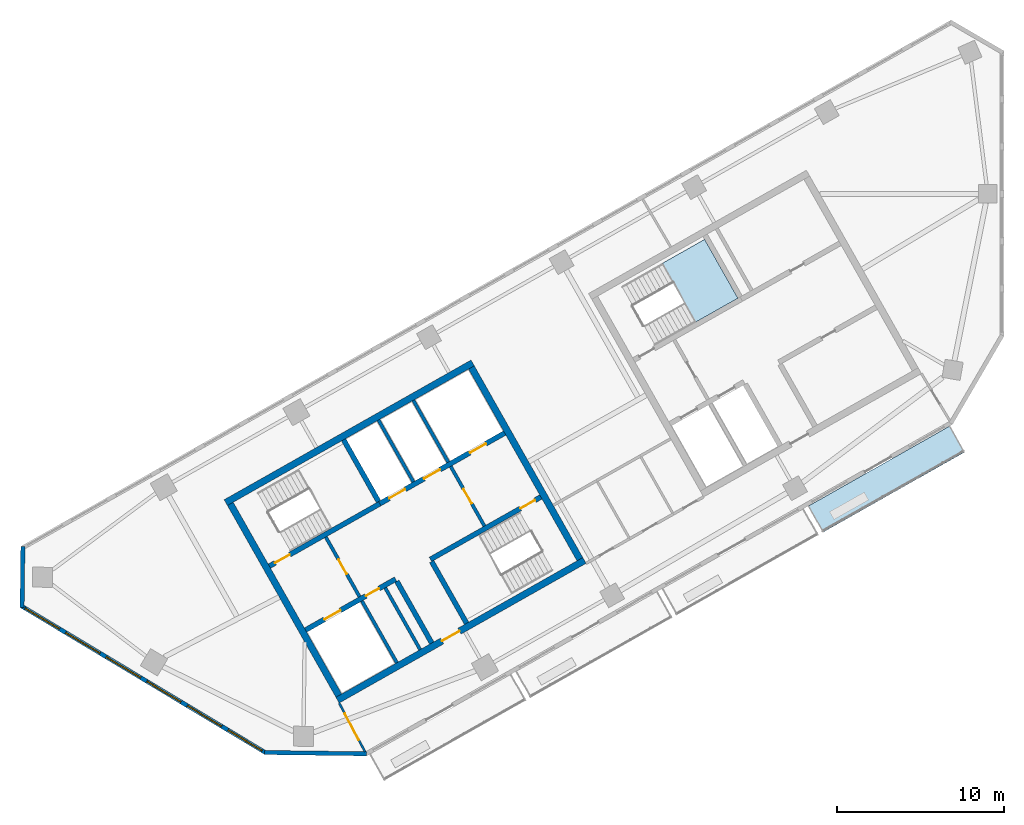
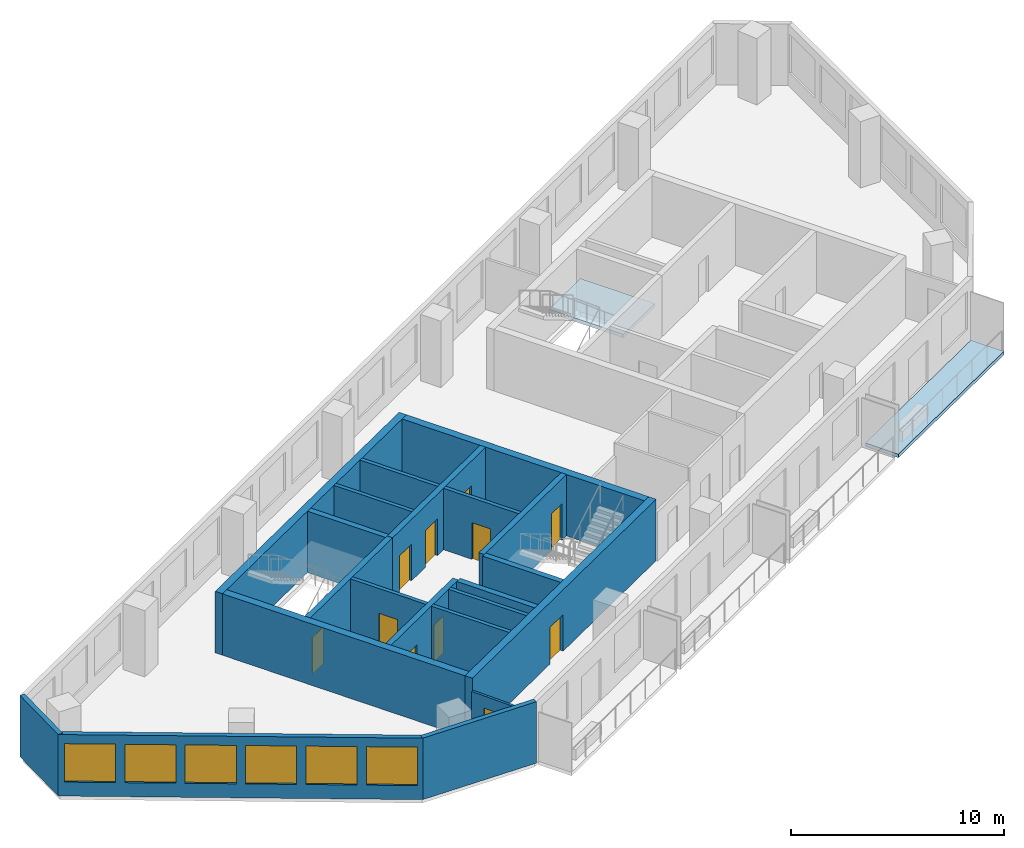
# One storey, part 2 of 7: 21 walls, 11 doors, 6 windows, 2 slabs, 17 openings, 1 element without a shape of its own.
"""IFC4 building model written with IfcOpenShell, lengths in metres."""

from ifc_helpers import new_model, si_unit, direction, frame, frame_2d, origin, place, context, subcontext, project, spatial, polyline, rectangle, outline, extrude, material, layer, layer_set, type_object, element, fill, aggregate, save


model = new_model("IFC4")

# Units and contexts
model_context = context("Model", 3, precision=1e-05, world=origin(), true_north=direction((0.0, 1.0)))
body_context = subcontext(model_context, "Body", "Model", "MODEL_VIEW")
ifc_project = project(units=[si_unit("LENGTHUNIT", "METRE"), si_unit("AREAUNIT", "SQUARE_METRE"), si_unit("VOLUMEUNIT", "CUBIC_METRE"), si_unit("PLANEANGLEUNIT", "RADIAN"), si_unit("MASSUNIT", "GRAM", prefix="KILO")], contexts=[model_context])

# Site, building, storey
site_placement = place(None, origin())
site = spatial("IfcSite", under=ifc_project, at=site_placement, CompositionType="ELEMENT")
building_placement = place(site_placement, origin())
building = spatial("IfcBuilding", under=site, at=building_placement, Name="Binnacle Exchange Tower", CompositionType="ELEMENT")
storey_placement = place(building_placement, frame((0.0, 0.0, 304.5)))
storey = spatial("IfcBuildingStorey", under=building, at=storey_placement, Name="L68", CompositionType="ELEMENT", Elevation=304.5)

# Slab
ifc_material_1 = material(Name="Concrete C35/45", Category="concrete")
ifc_layer_1 = layer(ifc_material_1, 0.199951171875)
ifc_layer_set_1 = layer_set([ifc_layer_1], Name="BALCONY SLAB 200")
slab_type_1 = type_object("IfcSlabType", Name="BALCONY SLAB 200", PredefinedType="FLOOR", material=ifc_layer_set_1)
slab_1_placement = place(storey_placement, frame((0.0, 0.0, -0.199951171875)))
element("IfcSlab", 1, at=slab_1_placement, inside=storey, type_object=slab_type_1, Name="Balcony BA-H07-03 L68", PredefinedType="FLOOR", context=body_context, shape_type="SweptSolid", body=[
    extrude(outline(polyline([(-11.616943359375, 41.28369140625), (-3.115234375, 46.093994140625), (-2.22900390625, 44.527099609375), (-10.730712890625, 39.717041015625), (-11.616943359375, 41.28369140625)])), origin(), (0.0, 0.0, 1.0), 0.199951171875),
])

# Stair, slab
stair_type = type_object("IfcStairType", Name="STAIR 22 RISERS 173", PredefinedType="HALF_TURN_STAIR", material=ifc_material_1)
stair_placement = place(storey_placement, origin())
stair = element("IfcStair", 2, at=stair_placement, inside=storey, type_object=stair_type, Name="L68 Escape stair C1", PredefinedType="HALF_TURN_STAIR")
ifc_layer_2 = layer(ifc_material_1, 0.199951171875)
ifc_layer_set_2 = layer_set([ifc_layer_2], Name="STAIR LANDING 200")
slab_type_2 = type_object("IfcSlabType", Name="STAIR LANDING 200", PredefinedType="LANDING", material=ifc_layer_set_2)
slab_2_placement = place(storey_placement, frame((0.0, 0.0, 1.699951171875)))
slab_2 = element("IfcSlab", 3, at=slab_2_placement, type_object=slab_type_2, Name="STC1 landing 1", PredefinedType="LANDING", context=body_context, shape_type="SweptSolid", body=[
    extrude(outline(polyline([(-18.364013671875, 52.31005859375), (-15.822509765625, 53.748046875), (-17.81689453125, 57.27294921875), (-20.3583984375, 55.8349609375), (-18.364013671875, 52.31005859375)])), origin(), (0.0, 0.0, 1.0), 0.199951171875),
])
aggregate(stair, [slab_2])

# Wall, openings, doors
ifc_material_2 = material(Name="Concrete C70/85", Category="concrete")
ifc_layer_3 = layer(ifc_material_2, 0.300048828125)
ifc_layer_set_3 = layer_set([ifc_layer_3], Name="Core wall - front 300")
wall_type_1 = type_object("IfcWallType", Name="Core wall - front 300", PredefinedType="SOLIDWALL", material=ifc_layer_set_3)
wall_1_placement = place(storey_placement, frame((-41.72998046875, 33.862548828125, 0.0), z_axis=(0.0, 0.0, 1.0), x_axis=(0.870350800578, 0.492432212525, 0.0)))
wall_1 = element("IfcWall", 4, at=wall_1_placement, inside=storey, type_object=wall_type_1, Name="Core wall CRWA2", PredefinedType="SOLIDWALL", context=body_context, shape_type="SweptSolid", body=[
    extrude(rectangle(XDim=6.19970703125, YDim=0.300048828125, at=frame_2d((3.099853515625, 0.0))), origin(), (0.0, 0.0, 1.0), 3.52001953125),
])
opening_1_placement = place(wall_1_placement, frame((1.300048828125, 0.0, 0.0)))
opening_1 = element("IfcOpeningElement", 5, at=opening_1_placement, cuts=wall_1, Name="Opening LD12", PredefinedType="OPENING", context=body_context, shape_type="SweptSolid", body=[
    extrude(rectangle(XDim=1.10009765625, YDim=2.10009765625, at=frame_2d((0.550048828125, 1.050048828125))), frame((0.0, 0.159912109375, 0.0), z_axis=(0.0, -1.0, 0.0), x_axis=(1.0, 0.0, 0.0)), (0.0, 0.0, 1.0), 0.320068359375),
])
opening_2_placement = place(wall_1_placement, frame((4.14990234375, 0.0, 0.0)))
opening_2 = element("IfcOpeningElement", 6, at=opening_2_placement, cuts=wall_1, Name="Opening DA14", PredefinedType="OPENING", context=body_context, shape_type="SweptSolid", body=[
    extrude(rectangle(XDim=0.89990234375, YDim=2.10009765625, at=frame_2d((0.449951171875, 1.050048828125))), frame((0.0, 0.159912109375, 0.0), z_axis=(0.0, -1.0, 0.0), x_axis=(1.0, 0.0, 0.0)), (0.0, 0.0, 1.0), 0.320068359375),
])
ifc_material_3 = material(Name="Steel door leaf", Category="steel")
door_type_1 = type_object("IfcDoorType", Name="Fire door - lift landing 1100", OperationType="NOTDEFINED", PredefinedType="DOOR", material=ifc_material_3)
door_1_placement = place(opening_1_placement, origin())
door_1 = element("IfcDoor", 7, at=door_1_placement, inside=storey, type_object=door_type_1, Name="Landing door LD12 L68", OperationType="DOUBLE_DOOR_SLIDING", OverallHeight=2.10009765625, OverallWidth=1.10009765625, PredefinedType="DOOR", context=body_context, shape_type="SweptSolid", body=[
    extrude(rectangle(XDim=1.10009765625, YDim=2.10009765625, at=frame_2d((0.550048828125, 1.050048828125))), frame((0.0, 0.02490234375, 0.0), z_axis=(0.0, -1.0, 0.0), x_axis=(1.0, 0.0, 0.0)), (0.0, 0.0, 1.0), 0.050048828125),
])
fill(opening_1, door_1)
door_type_2 = type_object("IfcDoorType", Name="Fire door 900", OperationType="NOTDEFINED", PredefinedType="DOOR", material=ifc_material_3)
door_2_placement = place(opening_2_placement, frame((0.89990234375, 0.0, 0.0), z_axis=(0.0, 0.0, 1.0), x_axis=(-1.0, 0.0, 0.0)))
door_2 = element("IfcDoor", 8, at=door_2_placement, inside=storey, type_object=door_type_2, Name="Core room door FIBRE ENTRY ROOM", OperationType="SINGLE_SWING_LEFT", OverallHeight=2.10009765625, OverallWidth=0.89990234375, PredefinedType="DOOR", context=body_context, shape_type="SweptSolid", body=[
    extrude(rectangle(XDim=0.89990234375, YDim=2.10009765625, at=frame_2d((0.449951171875, 1.050048828125))), frame((0.0, 0.02490234375, 0.0), z_axis=(0.0, -1.0, 0.0), x_axis=(1.0, 0.0, 0.0)), (0.0, 0.0, 1.0), 0.050048828125),
])
fill(opening_2, door_2)

wall_2_placement = place(storey_placement, frame((-37.281982421875, 41.4345703125, 0.0), z_axis=(0.0, 0.0, 1.0), x_axis=(0.870361315115, 0.492413628113, 0.0)))
wall_2 = element("IfcWall", 9, at=wall_2_placement, inside=storey, type_object=wall_type_1, Name="Core wall CRWA5", PredefinedType="SOLIDWALL", context=body_context, shape_type="SweptSolid", body=[
    extrude(rectangle(XDim=8.599609375, YDim=0.300048828125, at=frame_2d((4.2998046875, 0.0))), origin(), (0.0, 0.0, 1.0), 3.52001953125),
])
opening_3_placement = place(wall_2_placement, frame((0.650146484375, 0.0, 0.0)))
opening_3 = element("IfcOpeningElement", 10, at=opening_3_placement, cuts=wall_2, Name="Opening LD9", PredefinedType="OPENING", context=body_context, shape_type="SweptSolid", body=[
    extrude(rectangle(XDim=1.10009765625, YDim=2.10009765625, at=frame_2d((0.550048828125, 1.050048828125))), frame((0.0, 0.159912109375, 0.0), z_axis=(0.0, -1.0, 0.0), x_axis=(1.0, 0.0, 0.0)), (0.0, 0.0, 1.0), 0.320068359375),
])
opening_4_placement = place(wall_2_placement, frame((3.050048828125, 0.0, 0.0)))
opening_4 = element("IfcOpeningElement", 11, at=opening_4_placement, cuts=wall_2, Name="Opening LD10", PredefinedType="OPENING", context=body_context, shape_type="SweptSolid", body=[
    extrude(rectangle(XDim=1.10009765625, YDim=2.10009765625, at=frame_2d((0.550048828125, 1.050048828125))), frame((0.0, 0.159912109375, 0.0), z_axis=(0.0, -1.0, 0.0), x_axis=(1.0, 0.0, 0.0)), (0.0, 0.0, 1.0), 0.320068359375),
])
opening_5_placement = place(wall_2_placement, frame((6.199951171875, 0.0, 0.0)))
opening_5 = element("IfcOpeningElement", 12, at=opening_5_placement, cuts=wall_2, Name="Opening LD13", PredefinedType="OPENING", context=body_context, shape_type="SweptSolid", body=[
    extrude(rectangle(XDim=1.10009765625, YDim=2.10009765625, at=frame_2d((0.550048828125, 1.050048828125))), frame((0.0, 0.159912109375, 0.0), z_axis=(0.0, -1.0, 0.0), x_axis=(1.0, 0.0, 0.0)), (0.0, 0.0, 1.0), 0.320068359375),
])
door_3_placement = place(opening_3_placement, origin())
door_3 = element("IfcDoor", 13, at=door_3_placement, inside=storey, type_object=door_type_1, Name="Landing door LD9 L68", OperationType="DOUBLE_DOOR_SLIDING", OverallHeight=2.10009765625, OverallWidth=1.10009765625, PredefinedType="DOOR", context=body_context, shape_type="SweptSolid", body=[
    extrude(rectangle(XDim=1.10009765625, YDim=2.10009765625, at=frame_2d((0.550048828125, 1.050048828125))), frame((0.0, 0.02490234375, 0.0), z_axis=(0.0, -1.0, 0.0), x_axis=(1.0, 0.0, 0.0)), (0.0, 0.0, 1.0), 0.050048828125),
])
fill(opening_3, door_3)
door_4_placement = place(opening_4_placement, origin())
door_4 = element("IfcDoor", 14, at=door_4_placement, inside=storey, type_object=door_type_1, Name="Landing door LD10 L68", OperationType="DOUBLE_DOOR_SLIDING", OverallHeight=2.10009765625, OverallWidth=1.10009765625, PredefinedType="DOOR", context=body_context, shape_type="SweptSolid", body=[
    extrude(rectangle(XDim=1.10009765625, YDim=2.10009765625, at=frame_2d((0.550048828125, 1.050048828125))), frame((0.0, 0.02490234375, 0.0), z_axis=(0.0, -1.0, 0.0), x_axis=(1.0, 0.0, 0.0)), (0.0, 0.0, 1.0), 0.050048828125),
])
fill(opening_4, door_4)
door_5_placement = place(opening_5_placement, origin())
door_5 = element("IfcDoor", 15, at=door_5_placement, inside=storey, type_object=door_type_1, Name="Landing door LD13 L68", OperationType="DOUBLE_DOOR_SLIDING", OverallHeight=2.10009765625, OverallWidth=1.10009765625, PredefinedType="DOOR", context=body_context, shape_type="SweptSolid", body=[
    extrude(rectangle(XDim=1.10009765625, YDim=2.10009765625, at=frame_2d((0.550048828125, 1.050048828125))), frame((0.0, 0.02490234375, 0.0), z_axis=(0.0, -1.0, 0.0), x_axis=(1.0, 0.0, 0.0)), (0.0, 0.0, 1.0), 0.050048828125),
])
fill(opening_5, door_5)

# Wall
wall_3_placement = place(storey_placement, frame((-36.260009765625, 36.784912109375, 0.0), z_axis=(0.0, 0.0, 1.0), x_axis=(0.492422543467, -0.870356271124, 0.0)))
element("IfcWall", 16, at=wall_3_placement, inside=storey, type_object=wall_type_1, Name="Core wall CRWA13", PredefinedType="SOLIDWALL", context=body_context, shape_type="SweptSolid", body=[
    extrude(rectangle(XDim=4.25, YDim=0.300048828125, at=frame_2d((2.125, 0.0))), origin(), (0.0, 0.0, 1.0), 3.52001953125),
])

# Wall, opening, door
ifc_layer_4 = layer(ifc_material_2, 0.39990234375)
ifc_layer_set_4 = layer_set([ifc_layer_4], Name="Core wall - outer 400")
wall_type_2 = type_object("IfcWallType", Name="Core wall - outer 400", PredefinedType="SOLIDWALL", material=ifc_layer_set_4)
wall_4_placement = place(storey_placement, frame((-39.81298828125, 29.661865234375, 0.0), z_axis=(0.0, 0.0, 1.0), x_axis=(0.870350116061, 0.492433422375, 0.0)))
wall_4 = element("IfcWall", 17, at=wall_4_placement, inside=storey, type_object=wall_type_2, Name="Core wall CRWA1", PredefinedType="SOLIDWALL", context=body_context, shape_type="SweptSolid", body=[
    extrude(rectangle(XDim=17.0, YDim=0.39990234375, at=frame_2d((8.5, 0.0))), origin(), (0.0, 0.0, 1.0), 3.52001953125),
])
opening_6_placement = place(wall_4_placement, frame((7.199951171875, 0.0, 0.0)))
opening_6 = element("IfcOpeningElement", 18, at=opening_6_placement, cuts=wall_4, Name="Opening DA7", PredefinedType="OPENING", context=body_context, shape_type="SweptSolid", body=[
    extrude(rectangle(XDim=1.199951171875, YDim=2.10009765625, at=frame_2d((0.60009765625, 1.050048828125))), frame((0.0, 0.2099609375, 0.0), z_axis=(0.0, -1.0, 0.0), x_axis=(1.0, 0.0, 0.0)), (0.0, 0.0, 1.0), 0.419921875),
])
door_type_3 = type_object("IfcDoorType", Name="Fire door 1200", OperationType="NOTDEFINED", PredefinedType="DOOR", material=ifc_material_3)
door_6_placement = place(opening_6_placement, frame((1.199951171875, 0.0, 0.0), z_axis=(0.0, 0.0, 1.0), x_axis=(-1.0, 0.0, 0.0)))
door_6 = element("IfcDoor", 19, at=door_6_placement, inside=storey, type_object=door_type_3, Name="Lift lobby entrance door core A", OperationType="SINGLE_SWING_RIGHT", OverallHeight=2.10009765625, OverallWidth=1.199951171875, PredefinedType="DOOR", context=body_context, shape_type="SweptSolid", body=[
    extrude(rectangle(XDim=1.199951171875, YDim=2.10009765625, at=frame_2d((0.60009765625, 1.050048828125))), frame((0.0, 0.02490234375, 0.0), z_axis=(0.0, -1.0, 0.0), x_axis=(1.0, 0.0, 0.0)), (0.0, 0.0, 1.0), 0.050048828125),
])
fill(opening_6, door_6)

# Walls
wall_5_placement = place(storey_placement, frame((-46.510009765625, 41.498779296875, 0.0), z_axis=(0.0, 0.0, 1.0), x_axis=(0.870356271124, 0.492422543467, 0.0)))
element("IfcWall", 20, at=wall_5_placement, inside=storey, type_object=wall_type_2, Name="Core wall CRWA6", PredefinedType="SOLIDWALL", context=body_context, shape_type="SweptSolid", body=[
    extrude(rectangle(XDim=16.999755859375, YDim=0.39990234375, at=frame_2d((8.5, 0.0))), origin(), (0.0, 0.0, 1.0), 3.52001953125),
])
for number, where, z_axis, x_axis, name in (
    (21, (-46.237548828125, 41.423095703125, 0.0), (0.0, 0.0, 1.0), (0.492421663121, -0.870356769198, 0.0), "Core wall CRWA7"),
    (22, (-31.78955078125, 49.597412109375, 0.0), (0.0, 0.0, 1.0), (0.492421663121, -0.870356769198, 0.0), "Core wall CRWA22"),
):
    element("IfcWall", number, at=place(storey_placement, frame(where, z_axis=z_axis, x_axis=x_axis)), inside=storey, type_object=wall_type_2, Name=name, PredefinedType="SOLIDWALL", context=body_context, shape_type="SweptSolid", body=[
        extrude(rectangle(XDim=13.199951171875, YDim=0.39990234375, at=frame_2d((6.60009765625, 0.0))), origin(), (0.0, 0.0, 1.0), 3.52001953125),
    ])

# Wall, opening, door
ifc_layer_5 = layer(ifc_material_2, 0.300048828125)
ifc_layer_set_5 = layer_set([ifc_layer_5], Name="Core wall - stair 300")
wall_type_3 = type_object("IfcWallType", Name="Core wall - stair 300", PredefinedType="SOLIDWALL", material=ifc_layer_set_5)
wall_6_placement = place(storey_placement, frame((-34.2451171875, 38.097412109375, 0.0), z_axis=(0.0, 0.0, 1.0), x_axis=(0.870356351998, 0.492422400523, 0.0)))
wall_6 = element("IfcWall", 23, at=wall_6_placement, inside=storey, type_object=wall_type_3, Name="Core wall CRWA3", PredefinedType="SOLIDWALL", context=body_context, shape_type="SweptSolid", body=[
    extrude(rectangle(XDim=7.60009765625, YDim=0.300048828125, at=frame_2d((3.800048828125, 0.0))), origin(), (0.0, 0.0, 1.0), 3.52001953125),
])
opening_7_placement = place(wall_6_placement, frame((6.199951171875, 0.0, 0.0)))
opening_7 = element("IfcOpeningElement", 24, at=opening_7_placement, cuts=wall_6, Name="Opening DA2", PredefinedType="OPENING", context=body_context, shape_type="SweptSolid", body=[
    extrude(rectangle(XDim=1.0, YDim=2.10009765625, at=frame_2d((0.5, 1.050048828125))), frame((0.0, 0.159912109375, 0.0), z_axis=(0.0, -1.0, 0.0), x_axis=(1.0, 0.0, 0.0)), (0.0, 0.0, 1.0), 0.320068359375),
])
door_type_4 = type_object("IfcDoorType", Name="Fire door 1000", OperationType="NOTDEFINED", PredefinedType="DOOR", material=ifc_material_3)
door_7_placement = place(opening_7_placement, frame((1.0, 0.0, 0.0), z_axis=(0.0, 0.0, 1.0), x_axis=(-1.0, 0.0, 0.0)))
door_7 = element("IfcDoor", 25, at=door_7_placement, inside=storey, type_object=door_type_4, Name="Stair door ST-A2", OperationType="SINGLE_SWING_LEFT", OverallHeight=2.10009765625, OverallWidth=1.0, PredefinedType="DOOR", context=body_context, shape_type="SweptSolid", body=[
    extrude(rectangle(XDim=1.0, YDim=2.10009765625, at=frame_2d((0.5, 1.050048828125))), frame((0.0, 0.02490234375, 0.0), z_axis=(0.0, -1.0, 0.0), x_axis=(1.0, 0.0, 0.0)), (0.0, 0.0, 1.0), 0.050048828125),
])
fill(opening_7, door_7)

wall_7_placement = place(storey_placement, frame((-43.896728515625, 37.692138671875, 0.0), z_axis=(0.0, 0.0, 1.0), x_axis=(0.870356351998, 0.492422400523, 0.0)))
wall_7 = element("IfcWall", 26, at=wall_7_placement, inside=storey, type_object=wall_type_3, Name="Core wall CRWA4", PredefinedType="SOLIDWALL", context=body_context, shape_type="SweptSolid", body=[
    extrude(rectangle(XDim=7.60009765625, YDim=0.300048828125, at=frame_2d((3.800048828125, 0.0))), origin(), (0.0, 0.0, 1.0), 3.52001953125),
])
opening_8_placement = place(wall_7_placement, frame((0.39990234375, 0.0, 0.0)))
opening_8 = element("IfcOpeningElement", 27, at=opening_8_placement, cuts=wall_7, Name="Opening DA1", PredefinedType="OPENING", context=body_context, shape_type="SweptSolid", body=[
    extrude(rectangle(XDim=1.0, YDim=2.10009765625, at=frame_2d((0.5, 1.050048828125))), frame((0.0, 0.159912109375, 0.0), z_axis=(0.0, -1.0, 0.0), x_axis=(1.0, 0.0, 0.0)), (0.0, 0.0, 1.0), 0.320068359375),
])
door_8_placement = place(opening_8_placement, origin())
door_8 = element("IfcDoor", 28, at=door_8_placement, inside=storey, type_object=door_type_4, Name="Stair door ST-A1", OperationType="SINGLE_SWING_LEFT", OverallHeight=2.10009765625, OverallWidth=1.0, PredefinedType="DOOR", context=body_context, shape_type="SweptSolid", body=[
    extrude(rectangle(XDim=1.0, YDim=2.10009765625, at=frame_2d((0.5, 1.050048828125))), frame((0.0, 0.02490234375, 0.0), z_axis=(0.0, -1.0, 0.0), x_axis=(1.0, 0.0, 0.0)), (0.0, 0.0, 1.0), 0.050048828125),
])
fill(opening_8, door_8)

# Walls
for number, where, z_axis, x_axis, name in (
    (29, (-39.44873046875, 45.263916015625, 0.0), (0.0, 0.0, 1.0), (0.492422543467, -0.870356271124, 0.0), "Core wall CRWA14"),
    (30, (-34.171142578125, 37.966796875, 0.0), (0.0, 0.0, 1.0), (0.492422543467, -0.870356271124, 0.0), "Core wall CRWA16"),
):
    element("IfcWall", number, at=place(storey_placement, frame(where, z_axis=z_axis, x_axis=x_axis)), inside=storey, type_object=wall_type_3, Name=name, PredefinedType="SOLIDWALL", context=body_context, shape_type="SweptSolid", body=[
        extrude(rectangle(XDim=4.25, YDim=0.300048828125, at=frame_2d((2.125, 0.0))), origin(), (0.0, 0.0, 1.0), 3.52001953125),
    ])
ifc_material_4 = material(Name="Bronze aluminium cladding", Category="aluminium")
ifc_layer_6 = layer(ifc_material_4, 0.25)
ifc_layer_set_6 = layer_set([ifc_layer_6], Name="External wall - window wall 250")
wall_type_4 = type_object("IfcWallType", Name="External wall - window wall 250", PredefinedType="STANDARD", material=ifc_layer_set_6)
wall_8_placement = place(storey_placement, frame((-58.717041015625, 35.208251953125, 0.0), z_axis=(0.0, 0.0, 1.0), x_axis=(0.01310512158, 0.999914124207, 0.0)))
element("IfcWall", 31, at=wall_8_placement, inside=storey, type_object=wall_type_4, Name="External wall EW-H04 L68", PredefinedType="STANDARD", context=body_context, shape_type="SweptSolid", body=[
    extrude(rectangle(XDim=3.669921875, YDim=0.25, at=frame_2d((1.8349609375, 0.0))), origin(), (0.0, 0.0, 1.0), 3.52001953125),
])

# Wall, openings, windows
wall_9_placement = place(storey_placement, frame((-44.115234375, 26.507080078125, 0.0), z_axis=(0.0, 0.0, 1.0), x_axis=(-0.857166583633, 0.515039268311, 0.0)))
wall_9 = element("IfcWall", 32, at=wall_9_placement, inside=storey, type_object=wall_type_4, Name="External wall EW-H05 L68", PredefinedType="STANDARD", context=body_context, shape_type="SweptSolid", body=[
    extrude(rectangle(XDim=17.105712890625, YDim=0.25, at=frame_2d((8.552734375, 0.0))), origin(), (0.0, 0.0, 1.0), 3.52001953125),
])
opening_9_placement = place(wall_9_placement, frame((14.4169921875, 0.0, 0.800048828125)))
opening_9 = element("IfcOpeningElement", 33, at=opening_9_placement, cuts=wall_9, Name="Opening WR2", PredefinedType="OPENING", context=body_context, shape_type="SweptSolid", body=[
    extrude(rectangle(XDim=2.39990234375, YDim=2.199951171875, at=frame_2d((1.199951171875, 1.10009765625))), frame((0.0, 0.135009765625, 0.0), z_axis=(0.0, -1.0, 0.0), x_axis=(1.0, 0.0, 0.0)), (0.0, 0.0, 1.0), 0.27001953125),
])
opening_10_placement = place(wall_9_placement, frame((11.583740234375, 0.0, 0.800048828125)))
opening_10 = element("IfcOpeningElement", 34, at=opening_10_placement, cuts=wall_9, Name="Opening WR2", PredefinedType="OPENING", context=body_context, shape_type="SweptSolid", body=[
    extrude(rectangle(XDim=2.39990234375, YDim=2.199951171875, at=frame_2d((1.199951171875, 1.10009765625))), frame((0.0, 0.135009765625, 0.0), z_axis=(0.0, -1.0, 0.0), x_axis=(1.0, 0.0, 0.0)), (0.0, 0.0, 1.0), 0.27001953125),
])
opening_11_placement = place(wall_9_placement, frame((8.75048828125, 0.0, 0.800048828125)))
opening_11 = element("IfcOpeningElement", 35, at=opening_11_placement, cuts=wall_9, Name="Opening WR2", PredefinedType="OPENING", context=body_context, shape_type="SweptSolid", body=[
    extrude(rectangle(XDim=2.39990234375, YDim=2.199951171875, at=frame_2d((1.199951171875, 1.10009765625))), frame((0.0, 0.135009765625, 0.0), z_axis=(0.0, -1.0, 0.0), x_axis=(1.0, 0.0, 0.0)), (0.0, 0.0, 1.0), 0.27001953125),
])
opening_12_placement = place(wall_9_placement, frame((5.9169921875, 0.0, 0.800048828125)))
opening_12 = element("IfcOpeningElement", 36, at=opening_12_placement, cuts=wall_9, Name="Opening WR2", PredefinedType="OPENING", context=body_context, shape_type="SweptSolid", body=[
    extrude(rectangle(XDim=2.39990234375, YDim=2.199951171875, at=frame_2d((1.199951171875, 1.10009765625))), frame((0.0, 0.135009765625, 0.0), z_axis=(0.0, -1.0, 0.0), x_axis=(1.0, 0.0, 0.0)), (0.0, 0.0, 1.0), 0.27001953125),
])
opening_13_placement = place(wall_9_placement, frame((3.083740234375, 0.0, 0.800048828125)))
opening_13 = element("IfcOpeningElement", 37, at=opening_13_placement, cuts=wall_9, Name="Opening WR2", PredefinedType="OPENING", context=body_context, shape_type="SweptSolid", body=[
    extrude(rectangle(XDim=2.39990234375, YDim=2.199951171875, at=frame_2d((1.199951171875, 1.10009765625))), frame((0.0, 0.135009765625, 0.0), z_axis=(0.0, -1.0, 0.0), x_axis=(1.0, 0.0, 0.0)), (0.0, 0.0, 1.0), 0.27001953125),
])
opening_14_placement = place(wall_9_placement, frame((0.25048828125, 0.0, 0.800048828125)))
opening_14 = element("IfcOpeningElement", 38, at=opening_14_placement, cuts=wall_9, Name="Opening WR2", PredefinedType="OPENING", context=body_context, shape_type="SweptSolid", body=[
    extrude(rectangle(XDim=2.39990234375, YDim=2.199951171875, at=frame_2d((1.199951171875, 1.10009765625))), frame((0.0, 0.135009765625, 0.0), z_axis=(0.0, -1.0, 0.0), x_axis=(1.0, 0.0, 0.0)), (0.0, 0.0, 1.0), 0.27001953125),
])
ifc_material_5 = material(Name="Bronze anodised aluminium frame", Category="aluminium")
window_type = type_object("IfcWindowType", Name="WR2 WINDOW 2400x2200", PartitioningType="SINGLE_PANEL", PredefinedType="WINDOW", material=ifc_material_5)
window_1_placement = place(opening_9_placement, origin())
window_1 = element("IfcWindow", 39, at=window_1_placement, inside=storey, type_object=window_type, Name="Window WR2 L68", OverallHeight=2.199951171875, OverallWidth=2.39990234375, PartitioningType="SINGLE_PANEL", PredefinedType="WINDOW", context=body_context, shape_type="SweptSolid", body=[
    extrude(rectangle(XDim=2.39990234375, YDim=2.199951171875, at=frame_2d((1.199951171875, 1.10009765625))), frame((0.0, 0.030029296875, 0.0), z_axis=(0.0, -1.0, 0.0), x_axis=(1.0, 0.0, 0.0)), (0.0, 0.0, 1.0), 0.06005859375),
])
fill(opening_9, window_1)
window_2_placement = place(opening_10_placement, origin())
window_2 = element("IfcWindow", 40, at=window_2_placement, inside=storey, type_object=window_type, Name="Window WR2 L68", OverallHeight=2.199951171875, OverallWidth=2.39990234375, PartitioningType="SINGLE_PANEL", PredefinedType="WINDOW", context=body_context, shape_type="SweptSolid", body=[
    extrude(rectangle(XDim=2.39990234375, YDim=2.199951171875, at=frame_2d((1.199951171875, 1.10009765625))), frame((0.0, 0.030029296875, 0.0), z_axis=(0.0, -1.0, 0.0), x_axis=(1.0, 0.0, 0.0)), (0.0, 0.0, 1.0), 0.06005859375),
])
fill(opening_10, window_2)
window_3_placement = place(opening_11_placement, origin())
window_3 = element("IfcWindow", 41, at=window_3_placement, inside=storey, type_object=window_type, Name="Window WR2 L68", OverallHeight=2.199951171875, OverallWidth=2.39990234375, PartitioningType="SINGLE_PANEL", PredefinedType="WINDOW", context=body_context, shape_type="SweptSolid", body=[
    extrude(rectangle(XDim=2.39990234375, YDim=2.199951171875, at=frame_2d((1.199951171875, 1.10009765625))), frame((0.0, 0.030029296875, 0.0), z_axis=(0.0, -1.0, 0.0), x_axis=(1.0, 0.0, 0.0)), (0.0, 0.0, 1.0), 0.06005859375),
])
fill(opening_11, window_3)
window_4_placement = place(opening_12_placement, origin())
window_4 = element("IfcWindow", 42, at=window_4_placement, inside=storey, type_object=window_type, Name="Window WR2 L68", OverallHeight=2.199951171875, OverallWidth=2.39990234375, PartitioningType="SINGLE_PANEL", PredefinedType="WINDOW", context=body_context, shape_type="SweptSolid", body=[
    extrude(rectangle(XDim=2.39990234375, YDim=2.199951171875, at=frame_2d((1.199951171875, 1.10009765625))), frame((0.0, 0.030029296875, 0.0), z_axis=(0.0, -1.0, 0.0), x_axis=(1.0, 0.0, 0.0)), (0.0, 0.0, 1.0), 0.06005859375),
])
fill(opening_12, window_4)
window_5_placement = place(opening_13_placement, origin())
window_5 = element("IfcWindow", 43, at=window_5_placement, inside=storey, type_object=window_type, Name="Window WR2 L68", OverallHeight=2.199951171875, OverallWidth=2.39990234375, PartitioningType="SINGLE_PANEL", PredefinedType="WINDOW", context=body_context, shape_type="SweptSolid", body=[
    extrude(rectangle(XDim=2.39990234375, YDim=2.199951171875, at=frame_2d((1.199951171875, 1.10009765625))), frame((0.0, 0.030029296875, 0.0), z_axis=(0.0, -1.0, 0.0), x_axis=(1.0, 0.0, 0.0)), (0.0, 0.0, 1.0), 0.06005859375),
])
fill(opening_13, window_5)
window_6_placement = place(opening_14_placement, origin())
window_6 = element("IfcWindow", 44, at=window_6_placement, inside=storey, type_object=window_type, Name="Window WR2 L68", OverallHeight=2.199951171875, OverallWidth=2.39990234375, PartitioningType="SINGLE_PANEL", PredefinedType="WINDOW", context=body_context, shape_type="SweptSolid", body=[
    extrude(rectangle(XDim=2.39990234375, YDim=2.199951171875, at=frame_2d((1.199951171875, 1.10009765625))), frame((0.0, 0.030029296875, 0.0), z_axis=(0.0, -1.0, 0.0), x_axis=(1.0, 0.0, 0.0)), (0.0, 0.0, 1.0), 0.06005859375),
])
fill(opening_14, window_6)

# Wall
wall_10_placement = place(storey_placement, frame((-38.06396484375, 26.44482421875, 0.0), z_axis=(0.0, 0.0, 1.0), x_axis=(-0.999914239143, 0.013096349097, 0.0)))
element("IfcWall", 45, at=wall_10_placement, inside=storey, type_object=wall_type_4, Name="External wall EW-H06 L68", PredefinedType="STANDARD", context=body_context, shape_type="SweptSolid", body=[
    extrude(rectangle(XDim=6.114501953125, YDim=0.25, at=frame_2d((3.05712890625, 0.0))), origin(), (0.0, 0.0, 1.0), 3.52001953125),
])

# Wall, opening, door
ifc_material_6 = material(Name="Masonry block wall", Category="masonry")
ifc_layer_7 = layer(ifc_material_6, 0.199951171875)
ifc_layer_set_7 = layer_set([ifc_layer_7], Name="Fire wall - vestibule 200")
wall_type_5 = type_object("IfcWallType", Name="Fire wall - vestibule 200", PredefinedType="PARTITIONING", material=ifc_layer_set_7)
wall_11_placement = place(storey_placement, frame((-40.515625, 39.4326171875, 0.0), z_axis=(0.0, 0.0, 1.0), x_axis=(0.492453559952, -0.87033872216, 0.0)))
wall_11 = element("IfcWall", 46, at=wall_11_placement, inside=storey, type_object=wall_type_5, Name="Core wall CRWA10", PredefinedType="PARTITIONING", context=body_context, shape_type="SweptSolid", body=[
    extrude(rectangle(XDim=4.099853515625, YDim=0.199951171875, at=frame_2d((2.0498046875, 0.0))), origin(), (0.0, 0.0, 1.0), 3.52001953125),
])
opening_15_placement = place(wall_11_placement, frame((1.550048828125, 0.0, 0.0)))
opening_15 = element("IfcOpeningElement", 47, at=opening_15_placement, cuts=wall_11, Name="Opening DA3", PredefinedType="OPENING", context=body_context, shape_type="SweptSolid", body=[
    extrude(rectangle(XDim=1.0, YDim=2.10009765625, at=frame_2d((0.5, 1.050048828125))), frame((0.0, 0.10986328125, 0.0), z_axis=(0.0, -1.0, 0.0), x_axis=(1.0, 0.0, 0.0)), (0.0, 0.0, 1.0), 0.219970703125),
])
door_9_placement = place(opening_15_placement, frame((1.0, 0.0, 0.0), z_axis=(0.0, 0.0, 1.0), x_axis=(-1.0, 0.0, 0.0)))
door_9 = element("IfcDoor", 48, at=door_9_placement, inside=storey, type_object=door_type_4, Name="Vestibule door VEST-W", OperationType="SINGLE_SWING_LEFT", OverallHeight=2.10009765625, OverallWidth=1.0, PredefinedType="DOOR", context=body_context, shape_type="SweptSolid", body=[
    extrude(rectangle(XDim=1.0, YDim=2.10009765625, at=frame_2d((0.5, 1.050048828125))), frame((0.0, 0.02490234375, 0.0), z_axis=(0.0, -1.0, 0.0), x_axis=(1.0, 0.0, 0.0)), (0.0, 0.0, 1.0), 0.050048828125),
])
fill(opening_15, door_9)

wall_12_placement = place(storey_placement, frame((-33.030517578125, 43.66748046875, 0.0), z_axis=(0.0, 0.0, 1.0), x_axis=(0.492408451753, -0.87036424366, 0.0)))
wall_12 = element("IfcWall", 49, at=wall_12_placement, inside=storey, type_object=wall_type_5, Name="Core wall CRWA19", PredefinedType="PARTITIONING", context=body_context, shape_type="SweptSolid", body=[
    extrude(rectangle(XDim=4.099853515625, YDim=0.199951171875, at=frame_2d((2.0498046875, 0.0))), origin(), (0.0, 0.0, 1.0), 3.52001953125),
])
opening_16_placement = place(wall_12_placement, frame((1.550048828125, 0.0, 0.0)))
opening_16 = element("IfcOpeningElement", 50, at=opening_16_placement, cuts=wall_12, Name="Opening DA4", PredefinedType="OPENING", context=body_context, shape_type="SweptSolid", body=[
    extrude(rectangle(XDim=1.0, YDim=2.10009765625, at=frame_2d((0.5, 1.050048828125))), frame((0.0, 0.10986328125, 0.0), z_axis=(0.0, -1.0, 0.0), x_axis=(1.0, 0.0, 0.0)), (0.0, 0.0, 1.0), 0.219970703125),
])
door_10_placement = place(opening_16_placement, origin())
door_10 = element("IfcDoor", 51, at=door_10_placement, inside=storey, type_object=door_type_4, Name="Vestibule door VEST-E", OperationType="SINGLE_SWING_RIGHT", OverallHeight=2.10009765625, OverallWidth=1.0, PredefinedType="DOOR", context=body_context, shape_type="SweptSolid", body=[
    extrude(rectangle(XDim=1.0, YDim=2.10009765625, at=frame_2d((0.5, 1.050048828125))), frame((0.0, 0.02490234375, 0.0), z_axis=(0.0, -1.0, 0.0), x_axis=(1.0, 0.0, 0.0)), (0.0, 0.0, 1.0), 0.050048828125),
])
fill(opening_16, door_10)

ifc_material_7 = material(Name="Gypsum partition")
ifc_layer_8 = layer(ifc_material_7, 0.125)
ifc_layer_set_8 = layer_set([ifc_layer_8], Name="Partition 125")
wall_type_6 = type_object("IfcWallType", Name="Partition 125", PredefinedType="PARTITIONING", material=ifc_layer_set_8)
wall_13_placement = place(storey_placement, frame((-39.715087890625, 29.488037109375, 0.0), z_axis=(0.0, 0.0, 1.0), x_axis=(0.469248890304, -0.883065953906, 0.0)))
wall_13 = element("IfcWall", 52, at=wall_13_placement, inside=storey, type_object=wall_type_6, Name="Partition W01", PredefinedType="PARTITIONING", context=body_context, shape_type="SweptSolid", body=[
    extrude(rectangle(XDim=3.30322265625, YDim=0.125, at=frame_2d((1.651611328125, 0.0))), origin(), (0.0, 0.0, 1.0), 2.800048828125),
])
opening_17_placement = place(wall_13_placement, frame((0.699951171875, 0.0, 0.0)))
opening_17 = element("IfcOpeningElement", 53, at=opening_17_placement, cuts=wall_13, Name="Opening DL68-04", PredefinedType="OPENING", context=body_context, shape_type="SweptSolid", body=[
    extrude(rectangle(XDim=1.800048828125, YDim=2.10009765625, at=frame_2d((0.89990234375, 1.050048828125))), frame((0.0, 0.072509765625, 0.0), z_axis=(0.0, -1.0, 0.0), x_axis=(1.0, 0.0, 0.0)), (0.0, 0.0, 1.0), 0.14501953125),
])
ifc_material_8 = material(Name="Timber door leaf", Category="wood")
door_type_5 = type_object("IfcDoorType", Name="Double door 1800", OperationType="NOTDEFINED", PredefinedType="DOOR", material=ifc_material_8)
door_11_placement = place(opening_17_placement, frame((1.800048828125, 0.0, 0.0), z_axis=(0.0, 0.0, 1.0), x_axis=(-1.0, 0.0, 0.0)))
door_11 = element("IfcDoor", 54, at=door_11_placement, inside=storey, type_object=door_type_5, Name="Door DL68-04", OperationType="DOUBLE_DOOR_SINGLE_SWING", OverallHeight=2.10009765625, OverallWidth=1.800048828125, PredefinedType="DOOR", context=body_context, shape_type="SweptSolid", body=[
    extrude(rectangle(XDim=1.800048828125, YDim=2.10009765625, at=frame_2d((0.89990234375, 1.050048828125))), frame((0.0, 0.02490234375, 0.0), z_axis=(0.0, -1.0, 0.0), x_axis=(1.0, 0.0, 0.0)), (0.0, 0.0, 1.0), 0.050048828125),
])
fill(opening_17, door_11)

# Walls
ifc_layer_9 = layer(ifc_material_6, 0.199951171875)
ifc_layer_set_9 = layer_set([ifc_layer_9], Name="Riser wall 200")
wall_type_7 = type_object("IfcWallType", Name="Riser wall 200", PredefinedType="SOLIDWALL", material=ifc_layer_set_9)
wall_14_placement = place(storey_placement, frame((-36.956298828125, 36.39111328125, 0.0), z_axis=(0.0, 0.0, 1.0), x_axis=(0.492397924348, -0.870370199454, 0.0)))
element("IfcWall", 55, at=wall_14_placement, inside=storey, type_object=wall_type_7, Name="Core wall CRWA12", PredefinedType="SOLIDWALL", context=body_context, shape_type="SweptSolid", body=[
    extrude(rectangle(XDim=4.250244140625, YDim=0.199951171875, at=frame_2d((2.125, 0.0))), origin(), (0.0, 0.0, 1.0), 3.52001953125),
])
ifc_layer_10 = layer(ifc_material_6, 0.199951171875)
ifc_layer_set_10 = layer_set([ifc_layer_10], Name="Shaft wall 200")
wall_type_8 = type_object("IfcWallType", Name="Shaft wall 200", PredefinedType="SOLIDWALL", material=ifc_layer_set_10)
wall_15_placement = place(storey_placement, frame((-38.348876953125, 35.603271484375, 0.0), z_axis=(0.0, 0.0, 1.0), x_axis=(0.492397924348, -0.870370199454, 0.0)))
element("IfcWall", 56, at=wall_15_placement, inside=storey, type_object=wall_type_8, Name="Core wall CRWA9", PredefinedType="SOLIDWALL", context=body_context, shape_type="SweptSolid", body=[
    extrude(rectangle(XDim=4.250244140625, YDim=0.199951171875, at=frame_2d((2.125, 0.0))), origin(), (0.0, 0.0, 1.0), 3.52001953125),
])
for number, where, z_axis, x_axis, name in (
    (57, (-37.35986328125, 46.44580078125, 0.0), (0.0, 0.0, 1.0), (0.492422543467, -0.870356271124, 0.0), "Core wall CRWA17"),
    (58, (-35.27099609375, 47.627685546875, 0.0), (0.0, 0.0, 1.0), (0.492422543467, -0.870356271124, 0.0), "Core wall CRWA21"),
):
    element("IfcWall", number, at=place(storey_placement, frame(where, z_axis=z_axis, x_axis=x_axis)), inside=storey, type_object=wall_type_8, Name=name, PredefinedType="SOLIDWALL", context=body_context, shape_type="SweptSolid", body=[
        extrude(rectangle(XDim=4.25, YDim=0.199951171875, at=frame_2d((2.125, 0.0))), origin(), (0.0, 0.0, 1.0), 3.52001953125),
    ])

save(model, "model.ifc")
